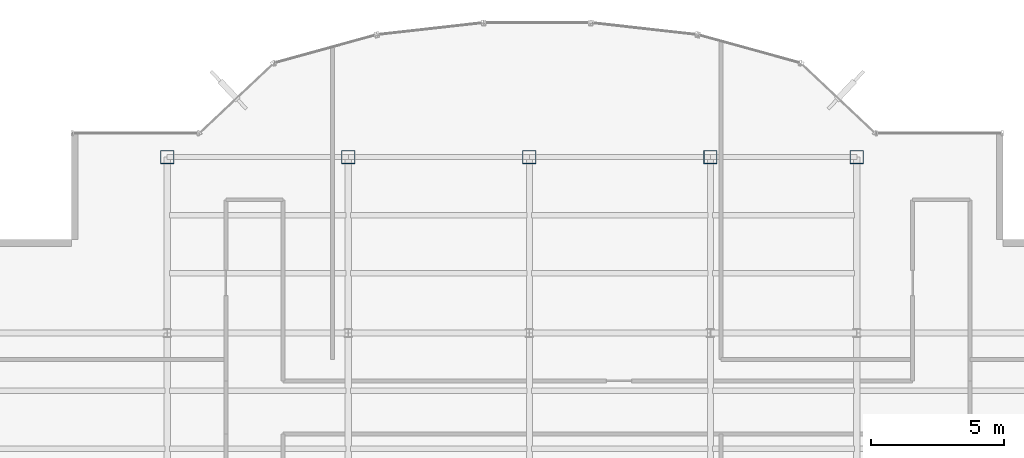
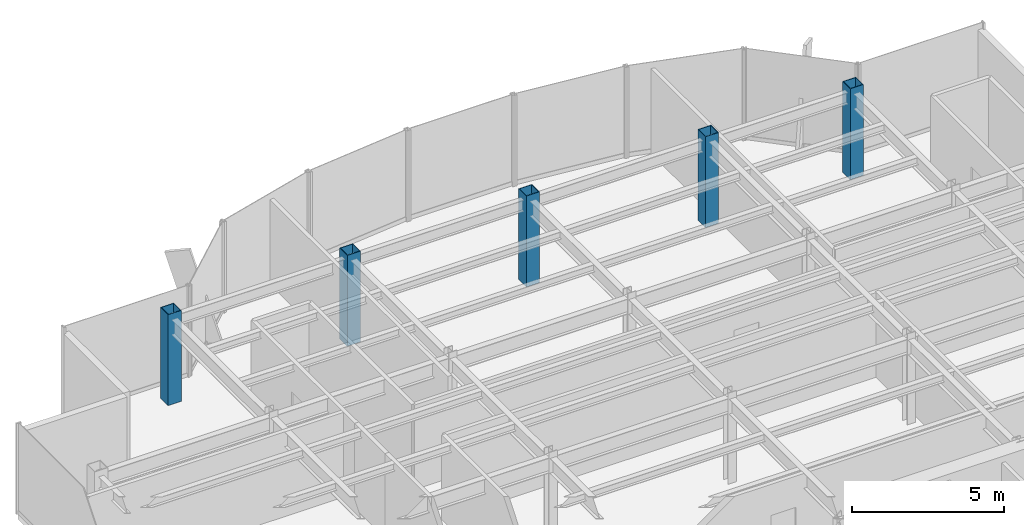
# One storey, part 2 of 22: 5 columns.
"""IFC4 building model written with IfcOpenShell, lengths in metres."""

from ifc_helpers import new_model, si_unit, derived_unit, direction, frame, origin, origin_2d, place, context, subcontext, project, spatial, hollow_rectangle, extrude, source, transform, mapped, material, material_profile, profile_set, type_object, element, save


model = new_model("IFC4")

# Units and contexts
model_context = context("Model", 3, precision=1e-05, world=origin(), true_north=direction((0.0, 1.0)))
body_context = subcontext(model_context, "Body", "Model", "MODEL_VIEW")
ifc_project = project(units=[si_unit("LENGTHUNIT", "METRE"), si_unit("AREAUNIT", "SQUARE_METRE"), si_unit("VOLUMEUNIT", "CUBIC_METRE"), si_unit("PLANEANGLEUNIT", "RADIAN"), si_unit("MASSUNIT", "GRAM", prefix="KILO"), derived_unit("THERMALTRANSMITTANCEUNIT", [(si_unit("POWERUNIT", "WATT"), 1), (si_unit("LENGTHUNIT", "METRE"), -2), (si_unit("THERMODYNAMICTEMPERATUREUNIT", "KELVIN"), -1)])], contexts=[model_context])

# Site, building, storey
site_placement = place(None, origin())
site = spatial("IfcSite", under=ifc_project, at=site_placement, CompositionType="ELEMENT")
building_placement = place(site_placement, origin())
building = spatial("IfcBuilding", under=site, at=building_placement, Name="Skarnbrae Concourse Arena and Tower", CompositionType="ELEMENT")
storey_placement = place(building_placement, frame((0.0, 0.0, 266.10009765625)))
storey = spatial("IfcBuildingStorey", under=building, at=storey_placement, Name="L69", CompositionType="ELEMENT", Elevation=266.10009765625)

# Columns
ifc_material = material(Name="Steel CSA G40.21 350W", Category="steel")
ifc_material_profile = material_profile(ifc_material, hollow_rectangle(XDim=0.5, YDim=0.5, WallThickness=0.02197265625, at=origin_2d()), Name="HSS500X500X22.0")
ifc_profile_set = profile_set([ifc_material_profile], Name="Steel CSA G40.21 350W")
column_type = type_object("IfcColumnType", Name="COL-TUBE-HSS500", PredefinedType="COLUMN", material=ifc_profile_set)
shared_shape = source(origin(), body_context, "Body", "SweptSolid", [
    extrude(hollow_rectangle(XDim=0.5, YDim=0.5, WallThickness=0.02197265625, at=origin_2d()), origin(), (0.0, 0.0, 1.0), 3.64990234375),
])
for number, where, z_axis, x_axis, name in (
    (1, (7.60009765625, 34.39990234375, 0.0), (0.0, 0.0, 1.0), (1.0, 0.0, 0.0), "L69 Tower column PC_02_05"),
    (2, (14.39990234375, 34.39990234375, 0.0), (0.0, 0.0, 1.0), (1.0, 0.0, 0.0), "L69 Tower column PC_03_05"),
    (3, (21.199951171875, 34.39990234375, 0.0), (0.0, 0.0, 1.0), (1.0, 0.0, 0.0), "L69 Tower column PC_04_05"),
    (4, (28.0, 34.39990234375, 0.0), (0.0, 0.0, 1.0), (1.0, 0.0, 0.0), "L69 Tower column PC_05_05"),
    (5, (33.5, 34.39990234375, 0.0), (0.0, 0.0, 1.0), (1.0, 0.0, 0.0), "L69 Tower column PC_06_05"),
):
    element("IfcColumn", number, at=place(storey_placement, frame(where, z_axis=z_axis, x_axis=x_axis)), inside=storey, type_object=column_type, Name=name, PredefinedType="COLUMN", context=body_context, shape_type="MappedRepresentation", body=[
        mapped(shared_shape, transform((0.0, 0.0, 0.0))),
    ])

save(model, "model.ifc")
